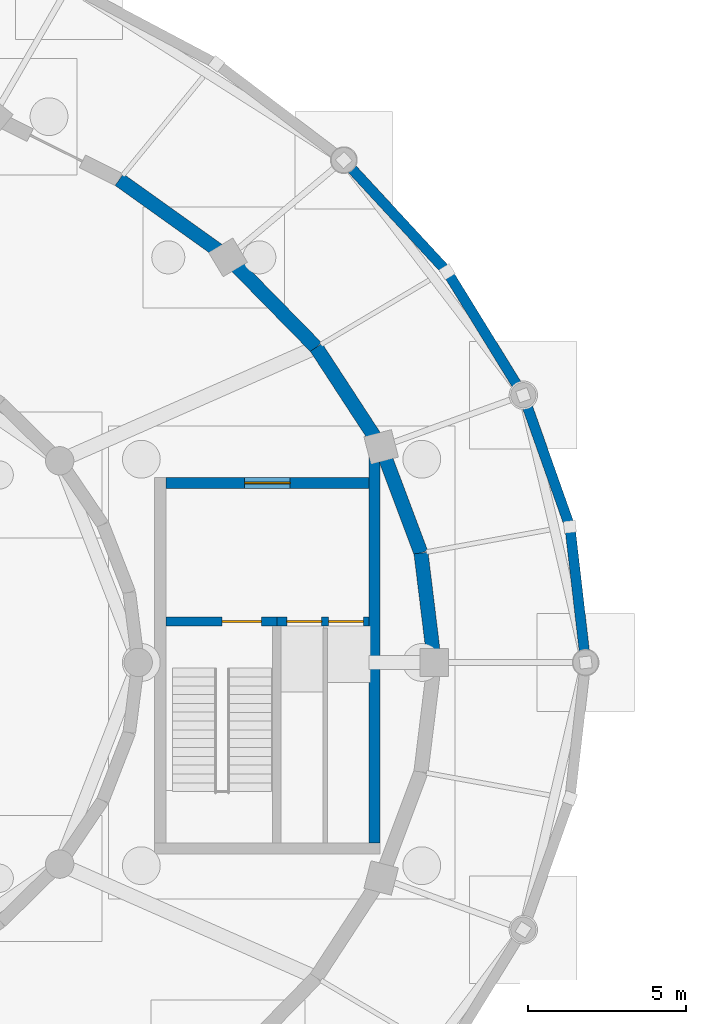
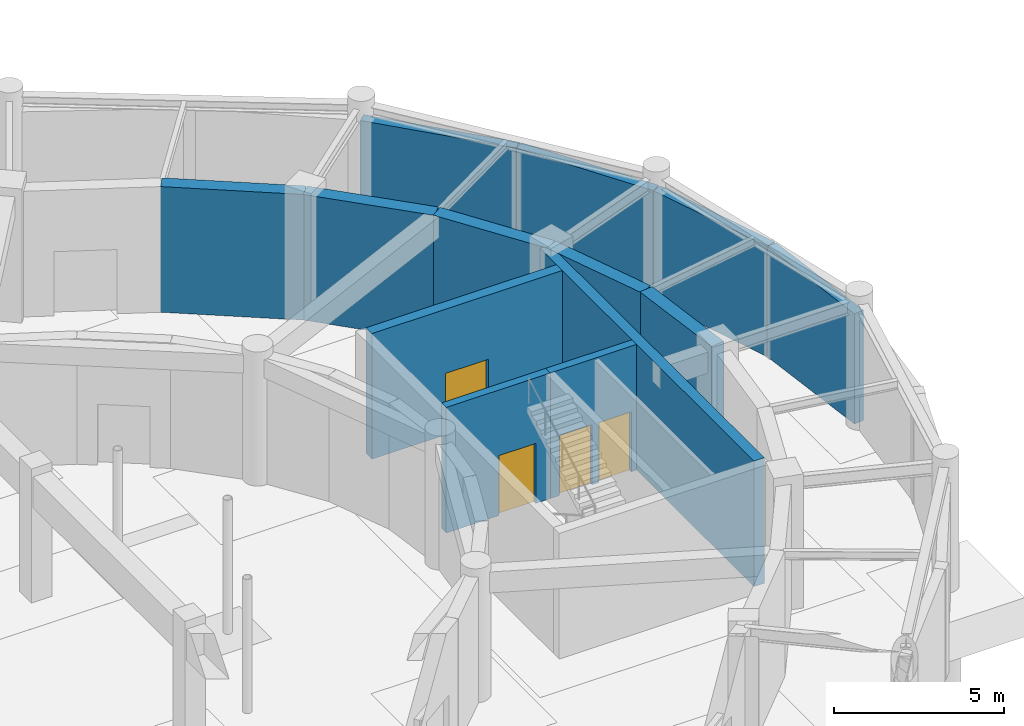
# One storey, part 22 of 42: 13 walls, 4 doors, 4 openings.
"""IFC4 building model written with IfcOpenShell, lengths in metres."""

from ifc_helpers import new_model, si_unit, direction, frame, frame_2d, origin, place, context, subcontext, project, spatial, rectangle, extrude, material, layer, layer_set, type_object, element, fill, save


model = new_model("IFC4")

# Units and contexts
model_context = context("Model", 3, precision=1e-05, world=origin(), true_north=direction((0.0, 1.0)))
body_context = subcontext(model_context, "Body", "Model", "MODEL_VIEW")
ifc_project = project(units=[si_unit("LENGTHUNIT", "METRE"), si_unit("AREAUNIT", "SQUARE_METRE"), si_unit("VOLUMEUNIT", "CUBIC_METRE"), si_unit("PLANEANGLEUNIT", "RADIAN"), si_unit("MASSUNIT", "GRAM", prefix="KILO")], contexts=[model_context])

# Site, building, storey
site_placement = place(None, origin())
site = spatial("IfcSite", under=ifc_project, at=site_placement, CompositionType="ELEMENT")
building_placement = place(site_placement, origin())
building = spatial("IfcBuilding", under=site, at=building_placement, Name="Tarnveldt Headland Concert Hall", CompositionType="ELEMENT")
storey_placement = place(building_placement, frame((0.0, 0.0, -4.800048828125)))
storey = spatial("IfcBuildingStorey", under=building, at=storey_placement, Name="B1", CompositionType="ELEMENT", Elevation=-4.800048828125)

# Wall, opening, door
ifc_material_1 = material(Name="Concrete C40/50", Category="concrete")
ifc_layer_1 = layer(ifc_material_1, 0.35009765625, Name="Concrete C40/50", Category="concrete")
ifc_layer_set_1 = layer_set([ifc_layer_1], Name="Concrete C40/50")
wall_type_1 = type_object("IfcWallType", Name="WL-CR350", PredefinedType="SHEAR", material=ifc_layer_set_1)
wall_1_placement = place(storey_placement, frame((102.97509765625, 60.199951171875, 0.0), z_axis=(0.0, 0.0, 1.0), x_axis=(1.0, 0.0, 0.0)))
wall_1 = element("IfcWall", 1, at=wall_1_placement, inside=storey, type_object=wall_type_1, Name="Core C2 north shear wall B1", PredefinedType="SHEAR", context=body_context, shape_type="SweptSolid", body=[
    extrude(rectangle(XDim=6.449951171875, YDim=0.35009765625, at=frame_2d((3.22509765625, 0.0))), origin(), (0.0, 0.0, 1.0), 4.5),
])
opening_1_placement = place(wall_1_placement, frame((2.5, 0.0, 0.0)))
opening_1 = element("IfcOpeningElement", 2, at=opening_1_placement, cuts=wall_1, Name="Opening LBD-C2-B1", PredefinedType="OPENING", context=body_context, shape_type="SweptSolid", body=[
    extrude(rectangle(XDim=1.449951171875, YDim=2.199951171875, at=frame_2d((0.72509765625, 1.10009765625))), frame((0.0, 0.18505859375, 0.0), z_axis=(0.0, -1.0, 0.0), x_axis=(1.0, 0.0, 0.0)), (0.0, 0.0, 1.0), 0.3701171875),
])
ifc_material_2 = material(Name="Galvanised painted steel sheet", Category="steel")
door_type_1 = type_object("IfcDoorType", Name="DR-LB145", OperationType="NOTDEFINED", PredefinedType="DOOR", material=ifc_material_2)
door_1_placement = place(opening_1_placement, origin())
door_1 = element("IfcDoor", 3, at=door_1_placement, inside=storey, type_object=door_type_1, Name="Core C2 lobby entrance door B1", OperationType="SINGLE_SWING_RIGHT", OverallHeight=2.199951171875, OverallWidth=1.449951171875, PredefinedType="DOOR", context=body_context, shape_type="SweptSolid", body=[
    extrude(rectangle(XDim=1.449951171875, YDim=2.199951171875, at=frame_2d((0.72509765625, 1.10009765625))), frame((0.0, 0.02490234375, 0.0), z_axis=(0.0, -1.0, 0.0), x_axis=(1.0, 0.0, 0.0)), (0.0, 0.0, 1.0), 0.050048828125),
])
fill(opening_1, door_1)

# Walls
wall_2_placement = place(storey_placement, frame((109.60009765625, 48.77490234375, 0.0), z_axis=(0.0, 0.0, 1.0), x_axis=(0.0, 1.0, 0.0)))
element("IfcWall", 4, at=wall_2_placement, inside=storey, type_object=wall_type_1, Name="Core C2 east shear wall B1", PredefinedType="SHEAR", context=body_context, shape_type="SweptSolid", body=[
    extrude(rectangle(XDim=12.565185546875, YDim=0.35009765625, at=frame_2d((6.28271484375, 0.0))), origin(), (0.0, 0.0, 1.0), 4.5),
])
ifc_material_3 = material(Name="Coral-toned precast concrete C40/50", Category="concrete")
ifc_layer_2 = layer(ifc_material_3, 0.324951171875, Name="Coral-toned precast concrete C40/50", Category="concrete")
ifc_layer_set_2 = layer_set([ifc_layer_2], Name="Coral-toned precast concrete C40/50")
wall_type_2 = type_object("IfcWallType", Name="WL-EX325", PredefinedType="SOLIDWALL", material=ifc_layer_set_2)
wall_3_placement = place(storey_placement, frame((115.803955078125, 58.78662109375, 0.0), z_axis=(0.0, 0.0, 1.0), x_axis=(0.114934784028, -0.993373039407, 0.0)))
element("IfcWall", 5, at=wall_3_placement, inside=storey, type_object=wall_type_2, Name="External precast wall B1-1", PredefinedType="SOLIDWALL", context=body_context, shape_type="SweptSolid", body=[
    extrude(rectangle(XDim=4.295166015625, YDim=0.324951171875, at=frame_2d((2.1474609375, 0.0))), origin(), (0.0, 0.0, 1.0), 3.949951171875),
])
wall_4_placement = place(storey_placement, frame((114.32861328125, 62.963134765625, 0.0), z_axis=(0.0, 0.0, 1.0), x_axis=(0.334024212389, -0.9425644941, 0.0)))
element("IfcWall", 6, at=wall_4_placement, inside=storey, type_object=wall_type_2, Name="External precast wall B1-2", PredefinedType="SOLIDWALL", context=body_context, shape_type="SweptSolid", body=[
    extrude(rectangle(XDim=4.389892578125, YDim=0.324951171875, at=frame_2d((2.19482421875, 0.0))), origin(), (0.0, 0.0, 1.0), 3.949951171875),
])
wall_5_placement = place(storey_placement, frame((111.916015625, 66.883056640625, 0.0), z_axis=(0.0, 0.0, 1.0), x_axis=(0.524906145614, -0.851160113197, 0.0)))
element("IfcWall", 7, at=wall_5_placement, inside=storey, type_object=wall_type_2, Name="External precast wall B1-3", PredefinedType="SOLIDWALL", context=body_context, shape_type="SweptSolid", body=[
    extrude(rectangle(XDim=4.563232421875, YDim=0.324951171875, at=frame_2d((2.28173828125, 0.0))), origin(), (0.0, 0.0, 1.0), 3.949951171875),
])
wall_6_placement = place(storey_placement, frame((108.639892578125, 70.426513671875, 0.0), z_axis=(0.0, 0.0, 1.0), x_axis=(0.679476177226, -0.733697570244, 0.0)))
element("IfcWall", 8, at=wall_6_placement, inside=storey, type_object=wall_type_2, Name="External precast wall B1-4", PredefinedType="SOLIDWALL", context=body_context, shape_type="SweptSolid", body=[
    extrude(rectangle(XDim=4.786376953125, YDim=0.324951171875, at=frame_2d((2.39306640625, 0.0))), origin(), (0.0, 0.0, 1.0), 3.949951171875),
])
ifc_layer_3 = layer(ifc_material_1, 0.449951171875, Name="Concrete C40/50", Category="concrete")
ifc_layer_set_3 = layer_set([ifc_layer_3], Name="Concrete C40/50")
wall_type_3 = type_object("IfcWallType", Name="WL-RT450", PredefinedType="SHEAR", material=ifc_layer_set_3)
wall_7_placement = place(storey_placement, frame((111.5, 54.5, 0.0), z_axis=(0.0, 0.0, 1.0), x_axis=(-0.121552414401, 0.99258501427, 0.0)))
element("IfcWall", 9, at=wall_7_placement, inside=storey, type_object=wall_type_3, Name="Symphony drum shear wall B1-1", PredefinedType="SHEAR", context=body_context, shape_type="SweptSolid", body=[
    extrude(rectangle(XDim=3.498779296875, YDim=0.449951171875, at=frame_2d((1.74951171875, 0.0))), origin(), (0.0, 0.0, 1.0), 4.5),
])
wall_8_placement = place(storey_placement, frame((111.07470703125, 57.972900390625, 0.0), z_axis=(0.0, 0.0, 1.0), x_axis=(-0.351279653979, 0.936270583058, 0.0)))
element("IfcWall", 10, at=wall_8_placement, inside=storey, type_object=wall_type_3, Name="Symphony drum shear wall B1-2", PredefinedType="SHEAR", context=body_context, shape_type="SweptSolid", body=[
    extrude(rectangle(XDim=3.5966796875, YDim=0.449951171875, at=frame_2d((1.79833984375, 0.0))), origin(), (0.0, 0.0, 1.0), 4.5),
])
wall_9_placement = place(storey_placement, frame((109.811279296875, 61.34033203125, 0.0), z_axis=(0.0, 0.0, 1.0), x_axis=(-0.546611158382, 0.837386554425, 0.0)))
element("IfcWall", 11, at=wall_9_placement, inside=storey, type_object=wall_type_3, Name="Symphony drum shear wall B1-3", PredefinedType="SHEAR", context=body_context, shape_type="SweptSolid", body=[
    extrude(rectangle(XDim=3.773193359375, YDim=0.449951171875, at=frame_2d((1.88671875, 0.0))), origin(), (0.0, 0.0, 1.0), 4.5),
])
wall_10_placement = place(storey_placement, frame((107.748779296875, 64.5, 0.0), z_axis=(0.0, 0.0, 1.0), x_axis=(-0.700051268358, 0.714092586203, 0.0)))
element("IfcWall", 12, at=wall_10_placement, inside=storey, type_object=wall_type_3, Name="Symphony drum shear wall B1-4", PredefinedType="SHEAR", context=body_context, shape_type="SweptSolid", body=[
    extrude(rectangle(XDim=3.9990234375, YDim=0.449951171875, at=frame_2d((1.99951171875, 0.0))), origin(), (0.0, 0.0, 1.0), 4.5),
])
wall_11_placement = place(storey_placement, frame((104.94921875, 67.355712890625, 0.0), z_axis=(0.0, 0.0, 1.0), x_axis=(-0.813737360708, 0.581232748378, 0.0)))
element("IfcWall", 13, at=wall_11_placement, inside=storey, type_object=wall_type_3, Name="Symphony drum shear wall B1-5", PredefinedType="SHEAR", context=body_context, shape_type="SweptSolid", body=[
    extrude(rectangle(XDim=4.2412109375, YDim=0.449951171875, at=frame_2d((2.12060546875, 0.0))), origin(), (0.0, 0.0, 1.0), 4.5),
])

# Wall, opening, door
ifc_layer_4 = layer(ifc_material_1, 0.27490234375, Name="Concrete C40/50", Category="concrete")
ifc_layer_set_4 = layer_set([ifc_layer_4], Name="Concrete C40/50")
wall_type_4 = type_object("IfcWallType", Name="WL-SH275", PredefinedType="SHEAR", material=ifc_layer_set_4)
wall_12_placement = place(storey_placement, frame((102.97509765625, 55.800048828125, 0.0), z_axis=(0.0, 0.0, 1.0), x_axis=(1.0, 0.0, 0.0)))
wall_12 = element("IfcWall", 14, at=wall_12_placement, inside=storey, type_object=wall_type_4, Name="Core C2 stair enclosure wall B1", PredefinedType="SHEAR", context=body_context, shape_type="SweptSolid", body=[
    extrude(rectangle(XDim=3.52490234375, YDim=0.27490234375, at=frame_2d((1.762451171875, 0.0))), origin(), (0.0, 0.0, 1.0), 4.5),
])
opening_2_placement = place(wall_12_placement, frame((1.784912109375, 0.0, 0.0)))
opening_2 = element("IfcOpeningElement", 15, at=opening_2_placement, cuts=wall_12, Name="Opening SD-C2-B1", PredefinedType="OPENING", context=body_context, shape_type="SweptSolid", body=[
    extrude(rectangle(XDim=1.25, YDim=2.14990234375, at=frame_2d((0.625, 1.074951171875))), frame((0.0, 0.1474609375, 0.0), z_axis=(0.0, -1.0, 0.0), x_axis=(1.0, 0.0, 0.0)), (0.0, 0.0, 1.0), 0.294921875),
])
door_type_2 = type_object("IfcDoorType", Name="DR-ST125", OperationType="NOTDEFINED", PredefinedType="DOOR", material=ifc_material_2)
door_2_placement = place(opening_2_placement, origin())
door_2 = element("IfcDoor", 16, at=door_2_placement, inside=storey, type_object=door_type_2, Name="Core C2 stair fire door B1", OperationType="SINGLE_SWING_RIGHT", OverallHeight=2.14990234375, OverallWidth=1.25, PredefinedType="DOOR", context=body_context, shape_type="SweptSolid", body=[
    extrude(rectangle(XDim=1.25, YDim=2.14990234375, at=frame_2d((0.625, 1.074951171875))), frame((0.0, 0.02490234375, 0.0), z_axis=(0.0, -1.0, 0.0), x_axis=(1.0, 0.0, 0.0)), (0.0, 0.0, 1.0), 0.050048828125),
])
fill(opening_2, door_2)

# Wall, openings, doors
wall_13_placement = place(storey_placement, frame((106.5, 55.800048828125, 0.0), z_axis=(0.0, 0.0, 1.0), x_axis=(1.0, 0.0, 0.0)))
wall_13 = element("IfcWall", 17, at=wall_13_placement, inside=storey, type_object=wall_type_4, Name="Core C2 lift shaft front wall B1", PredefinedType="SHEAR", context=body_context, shape_type="SweptSolid", body=[
    extrude(rectangle(XDim=2.925048828125, YDim=0.27490234375, at=frame_2d((1.46240234375, 0.0))), origin(), (0.0, 0.0, 1.0), 4.5),
])
opening_3_placement = place(wall_13_placement, frame((0.320068359375, 0.0, 0.0)))
opening_3 = element("IfcOpeningElement", 18, at=opening_3_placement, cuts=wall_13, Name="Opening LD-LP-02-B1", PredefinedType="OPENING", context=body_context, shape_type="SweptSolid", body=[
    extrude(rectangle(XDim=1.10009765625, YDim=2.14990234375, at=frame_2d((0.550048828125, 1.074951171875))), frame((0.0, 0.1474609375, 0.0), z_axis=(0.0, -1.0, 0.0), x_axis=(1.0, 0.0, 0.0)), (0.0, 0.0, 1.0), 0.294921875),
])
opening_4_placement = place(wall_13_placement, frame((1.64501953125, 0.0, 0.0)))
opening_4 = element("IfcOpeningElement", 19, at=opening_4_placement, cuts=wall_13, Name="Opening LD-LP-03-B1", PredefinedType="OPENING", context=body_context, shape_type="SweptSolid", body=[
    extrude(rectangle(XDim=1.10009765625, YDim=2.14990234375, at=frame_2d((0.550048828125, 1.074951171875))), frame((0.0, 0.1474609375, 0.0), z_axis=(0.0, -1.0, 0.0), x_axis=(1.0, 0.0, 0.0)), (0.0, 0.0, 1.0), 0.294921875),
])
door_type_3 = type_object("IfcDoorType", Name="LD-110", OperationType="NOTDEFINED", PredefinedType="DOOR", material=ifc_material_2)
door_3_placement = place(opening_3_placement, origin())
door_3 = element("IfcDoor", 20, at=door_3_placement, inside=storey, type_object=door_type_3, Name="Lift LP-02 sliding landing door B1", OperationType="DOUBLE_DOOR_SLIDING", OverallHeight=2.14990234375, OverallWidth=1.10009765625, PredefinedType="DOOR", context=body_context, shape_type="SweptSolid", body=[
    extrude(rectangle(XDim=1.10009765625, YDim=2.14990234375, at=frame_2d((0.550048828125, 1.074951171875))), frame((0.0, 0.02490234375, 0.0), z_axis=(0.0, -1.0, 0.0), x_axis=(1.0, 0.0, 0.0)), (0.0, 0.0, 1.0), 0.050048828125),
])
fill(opening_3, door_3)
door_4_placement = place(opening_4_placement, origin())
door_4 = element("IfcDoor", 21, at=door_4_placement, inside=storey, type_object=door_type_3, Name="Lift LP-03 sliding landing door B1", OperationType="DOUBLE_DOOR_SLIDING", OverallHeight=2.14990234375, OverallWidth=1.10009765625, PredefinedType="DOOR", context=body_context, shape_type="SweptSolid", body=[
    extrude(rectangle(XDim=1.10009765625, YDim=2.14990234375, at=frame_2d((0.550048828125, 1.074951171875))), frame((0.0, 0.02490234375, 0.0), z_axis=(0.0, -1.0, 0.0), x_axis=(1.0, 0.0, 0.0)), (0.0, 0.0, 1.0), 0.050048828125),
])
fill(opening_4, door_4)

save(model, "model.ifc")
